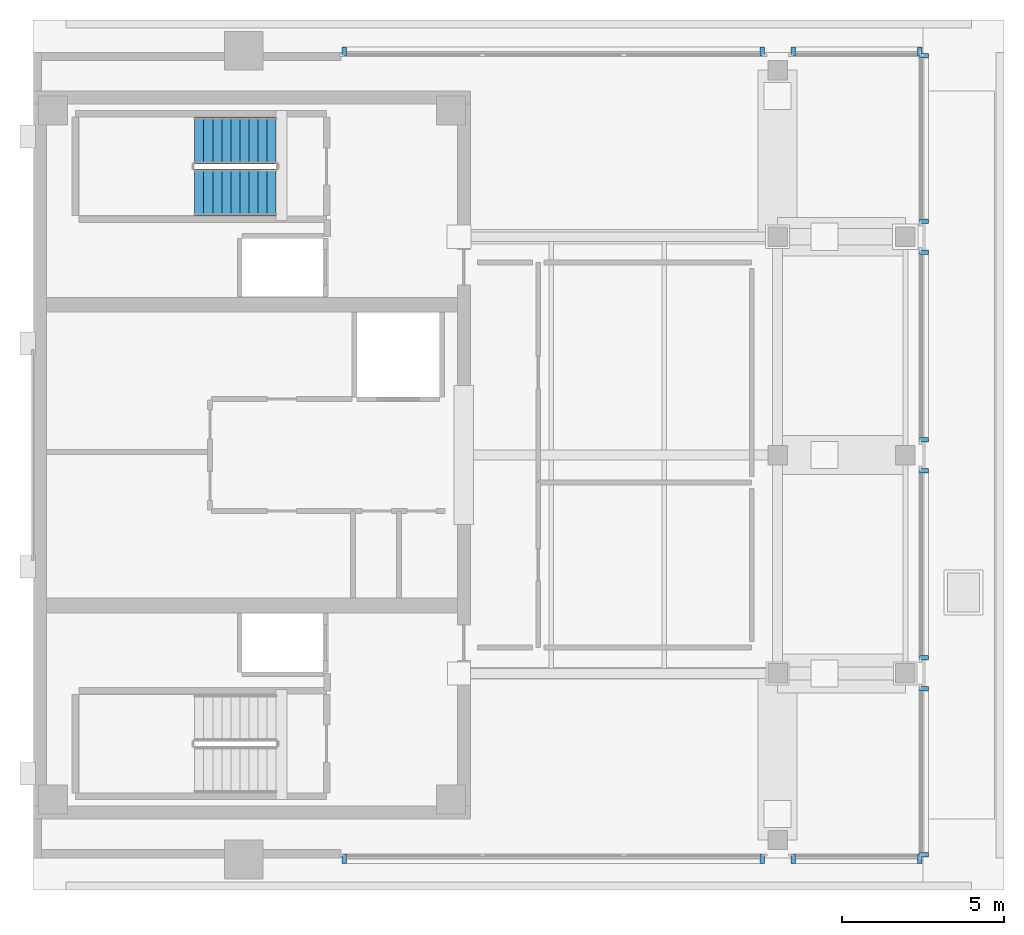
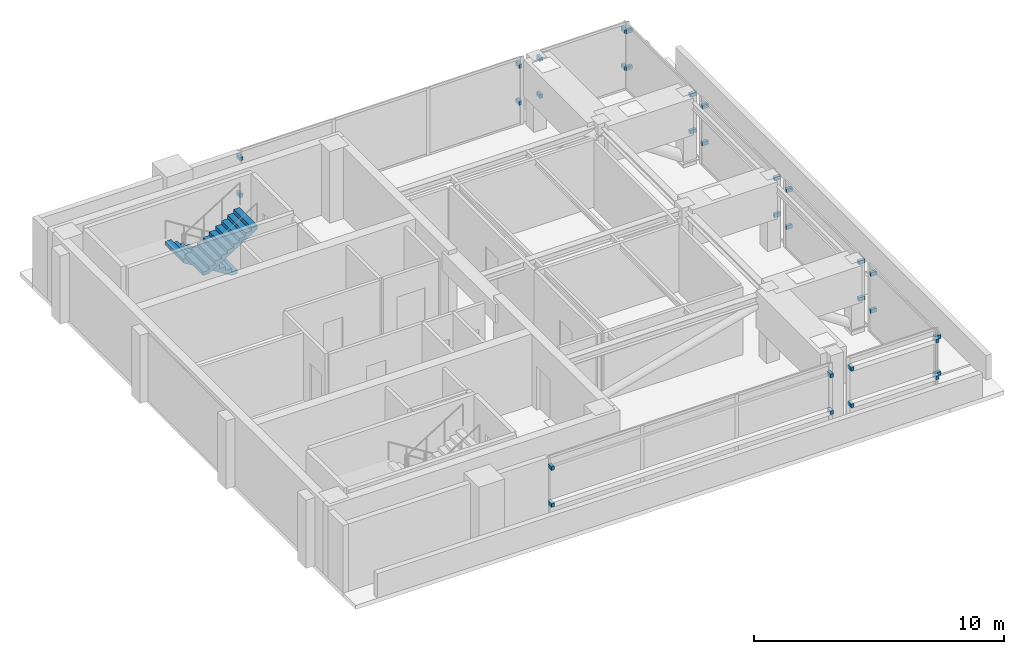
# One storey, part 6 of 9: 32 discrete accessories, 2 stair flights, 1 element without a shape of its own.
"""IFC4 building model written with IfcOpenShell, lengths in metres."""

from ifc_helpers import new_model, si_unit, direction, frame, origin, origin_2d, place, context, subcontext, project, spatial, polyline, rectangle, outline, extrude, material, type_object, element, aggregate, save


model = new_model("IFC4")

# Units and contexts
model_context = context("Model", 3, precision=1e-05, world=origin(), true_north=direction((0.0, 1.0)))
body_context = subcontext(model_context, "Body", "Model", "MODEL_VIEW")
ifc_project = project(units=[si_unit("LENGTHUNIT", "METRE"), si_unit("AREAUNIT", "SQUARE_METRE"), si_unit("VOLUMEUNIT", "CUBIC_METRE"), si_unit("PLANEANGLEUNIT", "RADIAN"), si_unit("MASSUNIT", "GRAM", prefix="KILO")], contexts=[model_context])

# Site, building, storey
site_placement = place(None, origin())
site = spatial("IfcSite", under=ifc_project, at=site_placement, CompositionType="ELEMENT")
building_placement = place(site_placement, origin())
building = spatial("IfcBuilding", under=site, at=building_placement, Name="Kinhvarn Gate Tower", CompositionType="ELEMENT")
storey_placement = place(building_placement, frame((0.0, 0.0, 318.050048828125)))
storey = spatial("IfcBuildingStorey", under=building, at=storey_placement, Name="L84", CompositionType="ELEMENT", Elevation=318.050048828125)

# Stair, stair flights
ifc_material_1 = material(Name="Concrete C40/50", Category="concrete")
stair_type = type_object("IfcStairType", Name="STR-DLG-175", PredefinedType="HALF_TURN_STAIR", material=ifc_material_1)
stair_placement = place(storey_placement, origin())
stair = element("IfcStair", 1, at=stair_placement, inside=storey, type_object=stair_type, Name="L84 Core Smokeproof Exit Stair ST2", PredefinedType="HALF_TURN_STAIR")
stair_flight_type = type_object("IfcStairFlightType", Name="STF-DLG-175", PredefinedType="STRAIGHT", material=ifc_material_1)
stair_flight_1_placement = place(storey_placement, frame((12.0, 34.97509765625, 0.0), z_axis=(0.0, 0.0, 1.0), x_axis=(-1.0, 0.0, 0.0)))
stair_flight_1 = element("IfcStairFlight", 2, at=stair_flight_1_placement, type_object=stair_flight_type, Name="ST2 flight 1", NumberOfRisers=10, NumberOfTreads=9, PredefinedType="STRAIGHT", RiserHeight=0.175, TreadLength=0.28, context=body_context, shape_type="SweptSolid", body=[
    extrude(outline(polyline([(0.0, 0.0), (0.0, 0.175048828125), (0.280029296875, 0.175048828125), (0.280029296875, 0.35009765625), (0.56005859375, 0.35009765625), (0.56005859375, 0.52490234375), (0.840087890625, 0.52490234375), (0.840087890625, 0.699951171875), (1.1201171875, 0.699951171875), (1.1201171875, 0.875), (1.39990234375, 0.875), (1.39990234375, 1.050048828125), (1.679931640625, 1.050048828125), (1.679931640625, 1.22509765625), (1.9599609375, 1.22509765625), (1.9599609375, 1.39990234375), (2.239990234375, 1.39990234375), (2.239990234375, 1.574951171875), (2.52001953125, 1.574951171875), (2.52001953125, 1.75), (2.52001953125, 1.398193359375), (0.28271484375, 0.0), (0.0, 0.0)])), frame((0.0, 0.72509765625, 0.0), z_axis=(0.0, -1.0, 0.0), x_axis=(1.0, 0.0, 0.0)), (0.0, 0.0, 1.0), 1.449951171875),
])
stair_flight_2_placement = place(storey_placement, frame((9.47998046875, 33.375, 1.75), z_axis=(0.0, 0.0, 1.0), x_axis=(1.0, 0.0, 0.0)))
stair_flight_2 = element("IfcStairFlight", 3, at=stair_flight_2_placement, type_object=stair_flight_type, Name="ST2 flight 2", NumberOfRisers=10, NumberOfTreads=9, PredefinedType="STRAIGHT", RiserHeight=0.175, TreadLength=0.28, context=body_context, shape_type="SweptSolid", body=[
    extrude(outline(polyline([(0.0, 0.0), (0.0, 0.175048828125), (0.280029296875, 0.175048828125), (0.280029296875, 0.35009765625), (0.56005859375, 0.35009765625), (0.56005859375, 0.52490234375), (0.840087890625, 0.52490234375), (0.840087890625, 0.699951171875), (1.1201171875, 0.699951171875), (1.1201171875, 0.875), (1.39990234375, 0.875), (1.39990234375, 1.050048828125), (1.679931640625, 1.050048828125), (1.679931640625, 1.22509765625), (1.9599609375, 1.22509765625), (1.9599609375, 1.39990234375), (2.239990234375, 1.39990234375), (2.239990234375, 1.574951171875), (2.52001953125, 1.574951171875), (2.52001953125, 1.75), (2.52001953125, 1.398193359375), (0.28271484375, 0.0), (0.0, 0.0)])), frame((0.0, 0.72509765625, 0.0), z_axis=(0.0, -1.0, 0.0), x_axis=(1.0, 0.0, 0.0)), (0.0, 0.0, 1.0), 1.449951171875),
])
aggregate(stair, [stair_flight_1, stair_flight_2])

# Discrete accessories
ifc_material_2 = material(Name="Anodised aluminium AW-6063", Category="aluminium")
discrete_accessory_type = type_object("IfcDiscreteAccessoryType", Name="ACC-BRK-01", PredefinedType="BRACKET", material=ifc_material_2)
for number, where, z_axis, x_axis, name in (
    (4, (14.10009765625, 12.77001953125, 0.9599609375), (0.0, 0.0, 1.0), (1.0, 0.0, 0.0), "Baguette Support Bracket BK-01 (L84)"),
    (5, (14.10009765625, 12.77001953125, 2.759765625), (0.0, 0.0, 1.0), (1.0, 0.0, 0.0), "Baguette Support Bracket BK-01 (L84)"),
    (6, (27.02001953125, 12.77001953125, 0.9599609375), (0.0, 0.0, 1.0), (1.0, 0.0, 0.0), "Baguette Support Bracket BK-01 (L84)"),
    (7, (27.02001953125, 12.77001953125, 2.759765625), (0.0, 0.0, 1.0), (1.0, 0.0, 0.0), "Baguette Support Bracket BK-01 (L84)"),
    (8, (27.97998046875, 12.77001953125, 0.9599609375), (0.0, 0.0, 1.0), (1.0, 0.0, 0.0), "Baguette Support Bracket BK-01 (L84)"),
    (9, (27.97998046875, 12.77001953125, 2.759765625), (0.0, 0.0, 1.0), (1.0, 0.0, 0.0), "Baguette Support Bracket BK-01 (L84)"),
    (10, (31.89990234375, 12.77001953125, 0.9599609375), (0.0, 0.0, 1.0), (1.0, 0.0, 0.0), "Baguette Support Bracket BK-01 (L84)"),
    (11, (31.89990234375, 12.77001953125, 2.759765625), (0.0, 0.0, 1.0), (1.0, 0.0, 0.0), "Baguette Support Bracket BK-01 (L84)"),
    (12, (31.89990234375, 37.72998046875, 0.9599609375), (0.0, 0.0, 1.0), (-1.0, 0.0, 0.0), "Baguette Support Bracket BK-01 (L84)"),
    (13, (31.89990234375, 37.72998046875, 2.759765625), (0.0, 0.0, 1.0), (-1.0, 0.0, 0.0), "Baguette Support Bracket BK-01 (L84)"),
    (14, (27.97998046875, 37.72998046875, 0.9599609375), (0.0, 0.0, 1.0), (-1.0, 0.0, 0.0), "Baguette Support Bracket BK-01 (L84)"),
    (15, (27.97998046875, 37.72998046875, 2.759765625), (0.0, 0.0, 1.0), (-1.0, 0.0, 0.0), "Baguette Support Bracket BK-01 (L84)"),
    (16, (27.02001953125, 37.72998046875, 0.9599609375), (0.0, 0.0, 1.0), (-1.0, 0.0, 0.0), "Baguette Support Bracket BK-01 (L84)"),
    (17, (27.02001953125, 37.72998046875, 2.759765625), (0.0, 0.0, 1.0), (-1.0, 0.0, 0.0), "Baguette Support Bracket BK-01 (L84)"),
    (18, (14.10009765625, 37.72998046875, 0.9599609375), (0.0, 0.0, 1.0), (-1.0, 0.0, 0.0), "Baguette Support Bracket BK-01 (L84)"),
    (19, (14.10009765625, 37.72998046875, 2.759765625), (0.0, 0.0, 1.0), (-1.0, 0.0, 0.0), "Baguette Support Bracket BK-01 (L84)"),
    (20, (32.030029296875, 12.89990234375, 0.9599609375), (0.0, 0.0, 1.0), (0.0, 1.0, 0.0), "Baguette Support Bracket BK-01 (L84)"),
    (21, (32.030029296875, 12.89990234375, 2.759765625), (0.0, 0.0, 1.0), (0.0, 1.0, 0.0), "Baguette Support Bracket BK-01 (L84)"),
    (22, (32.030029296875, 18.02001953125, 0.9599609375), (0.0, 0.0, 1.0), (0.0, 1.0, 0.0), "Baguette Support Bracket BK-01 (L84)"),
    (23, (32.030029296875, 18.02001953125, 2.759765625), (0.0, 0.0, 1.0), (0.0, 1.0, 0.0), "Baguette Support Bracket BK-01 (L84)"),
    (24, (32.030029296875, 18.97998046875, 0.9599609375), (0.0, 0.0, 1.0), (0.0, 1.0, 0.0), "Baguette Support Bracket BK-01 (L84)"),
    (25, (32.030029296875, 18.97998046875, 2.759765625), (0.0, 0.0, 1.0), (0.0, 1.0, 0.0), "Baguette Support Bracket BK-01 (L84)"),
    (26, (32.030029296875, 24.77001953125, 0.9599609375), (0.0, 0.0, 1.0), (0.0, 1.0, 0.0), "Baguette Support Bracket BK-01 (L84)"),
    (27, (32.030029296875, 24.77001953125, 2.759765625), (0.0, 0.0, 1.0), (0.0, 1.0, 0.0), "Baguette Support Bracket BK-01 (L84)"),
    (28, (32.030029296875, 25.72998046875, 0.9599609375), (0.0, 0.0, 1.0), (0.0, 1.0, 0.0), "Baguette Support Bracket BK-01 (L84)"),
    (29, (32.030029296875, 25.72998046875, 2.759765625), (0.0, 0.0, 1.0), (0.0, 1.0, 0.0), "Baguette Support Bracket BK-01 (L84)"),
    (30, (32.030029296875, 31.52001953125, 0.9599609375), (0.0, 0.0, 1.0), (0.0, 1.0, 0.0), "Baguette Support Bracket BK-01 (L84)"),
    (31, (32.030029296875, 31.52001953125, 2.759765625), (0.0, 0.0, 1.0), (0.0, 1.0, 0.0), "Baguette Support Bracket BK-01 (L84)"),
    (32, (32.030029296875, 32.47998046875, 0.9599609375), (0.0, 0.0, 1.0), (0.0, 1.0, 0.0), "Baguette Support Bracket BK-01 (L84)"),
    (33, (32.030029296875, 32.47998046875, 2.759765625), (0.0, 0.0, 1.0), (0.0, 1.0, 0.0), "Baguette Support Bracket BK-01 (L84)"),
    (34, (32.030029296875, 37.60009765625, 0.9599609375), (0.0, 0.0, 1.0), (0.0, 1.0, 0.0), "Baguette Support Bracket BK-01 (L84)"),
    (35, (32.030029296875, 37.60009765625, 2.759765625), (0.0, 0.0, 1.0), (0.0, 1.0, 0.0), "Baguette Support Bracket BK-01 (L84)"),
):
    element("IfcDiscreteAccessory", number, at=place(storey_placement, frame(where, z_axis=z_axis, x_axis=x_axis)), inside=storey, type_object=discrete_accessory_type, Name=name, PredefinedType="BRACKET", context=body_context, shape_type="SweptSolid", body=[
        extrude(rectangle(XDim=0.139892578125, YDim=0.280029296875, at=origin_2d()), origin(), (0.0, 0.0, 1.0), 0.179931640625),
    ])

save(model, "model.ifc")
